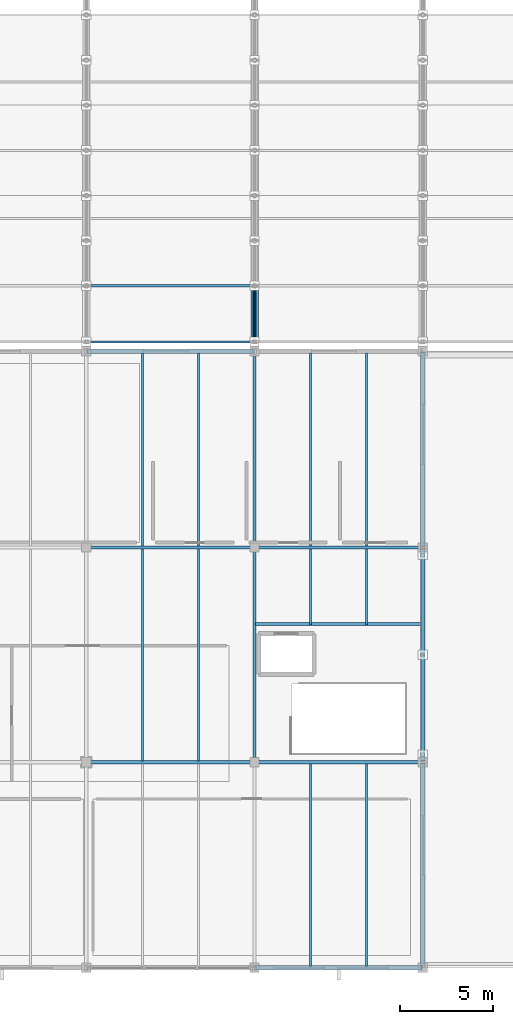
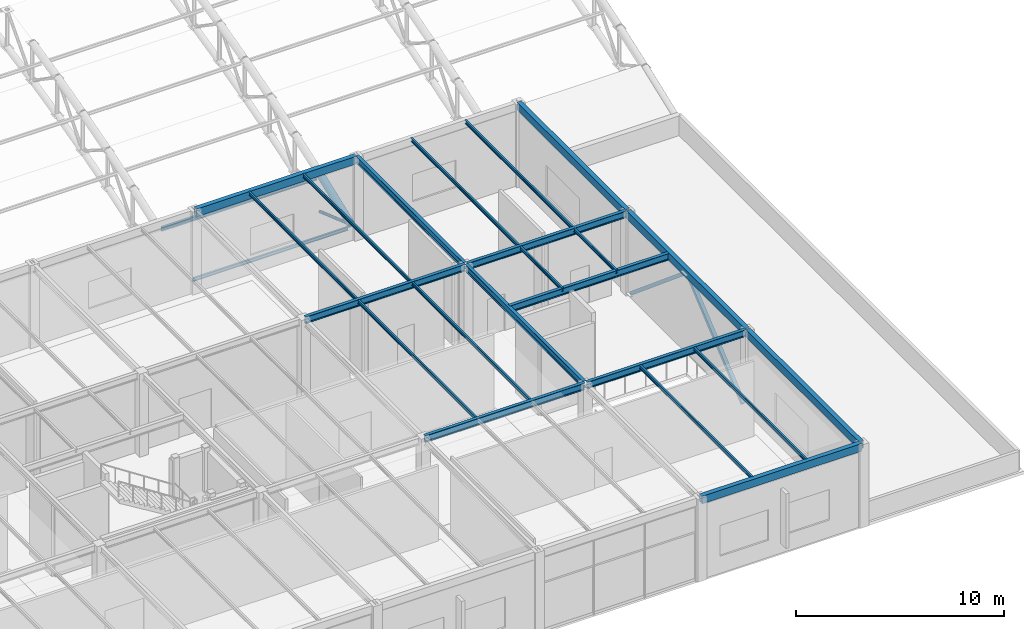
# One storey, part 74 of 195: 22 beams, 6 members.
"""IFC4 building model written with IfcOpenShell, lengths in metres."""

from ifc_helpers import new_model, si_unit, direction, frame, origin, origin_2d, place, context, subcontext, project, spatial, hollow_rectangle, hollow_circle, i_section, extrude, material, material_profile, profile_set, type_object, element, save


model = new_model("IFC4")

# Units and contexts
model_context = context("Model", 3, precision=1e-05, world=origin(), true_north=direction((0.0, 1.0)))
body_context = subcontext(model_context, "Body", "Model", "MODEL_VIEW")
ifc_project = project(units=[si_unit("LENGTHUNIT", "METRE"), si_unit("AREAUNIT", "SQUARE_METRE"), si_unit("VOLUMEUNIT", "CUBIC_METRE"), si_unit("PLANEANGLEUNIT", "RADIAN"), si_unit("MASSUNIT", "GRAM", prefix="KILO")], contexts=[model_context])

# Site, building, storey
site_placement = place(None, origin())
site = spatial("IfcSite", under=ifc_project, at=site_placement, CompositionType="ELEMENT")
building_placement = place(site_placement, origin())
building = spatial("IfcBuilding", under=site, at=building_placement, Name="Marlcrest Central Station", CompositionType="ELEMENT")
storey_placement = place(building_placement, frame((0.0, 0.0, 9.800048828125)))
storey = spatial("IfcBuildingStorey", under=building, at=storey_placement, Name="L02", CompositionType="ELEMENT", Elevation=9.800048828125)

# Members
ifc_material = material(Name="Steel S355", Category="steel")
ifc_material_profile_1 = material_profile(ifc_material, hollow_circle(Radius=0.203125, WallThickness=0.02001953125, at=origin_2d()), Name="CHS 406.4x20")
ifc_profile_set_1 = profile_set([ifc_material_profile_1], Name="Steel S355")
member_type_1 = type_object("IfcMemberType", Name="AC-01", PredefinedType="CHORD", material=ifc_profile_set_1)
member_1_placement = place(storey_placement, frame((198.0, 33.5, 0.44580078125), z_axis=(0.0, 0.933324071143, 0.359035065453), x_axis=(-1.0, 0.0, 0.0)))
element("IfcMember", 1, at=member_1_placement, inside=storey, type_object=member_type_1, Name="mem-AC-01-L02-01786", PredefinedType="CHORD", context=body_context, shape_type="SweptSolid", body=[
    extrude(hollow_circle(Radius=0.203125, WallThickness=0.02001953125, at=origin_2d()), origin(), (0.0, 0.0, 1.0), 3.21435546875),
])
ifc_material_profile_2 = material_profile(ifc_material, hollow_circle(Radius=0.084228515625, WallThickness=0.010009765625, at=origin_2d()), Name="CHS 168.3x10")
ifc_profile_set_2 = profile_set([ifc_material_profile_2], Name="Steel S355")
member_type_2 = type_object("IfcMemberType", Name="AD-01", PredefinedType="BRACE", material=ifc_profile_set_2)
member_2_placement = place(storey_placement, frame((198.0, 36.5, -0.60009765625), z_axis=(0.0, -0.944260188635, 0.329200085296), x_axis=(1.0, 0.0, 0.0)))
element("IfcMember", 2, at=member_2_placement, inside=storey, type_object=member_type_2, Name="mem-AD-01-L02-01787", PredefinedType="BRACE", context=body_context, shape_type="SweptSolid", body=[
    extrude(hollow_circle(Radius=0.084228515625, WallThickness=0.010009765625, at=origin_2d()), origin(), (0.0, 0.0, 1.0), 3.177001953125),
])
ifc_material_profile_3 = material_profile(ifc_material, hollow_rectangle(XDim=0.199951171875, YDim=0.199951171875, WallThickness=0.010009765625, at=origin_2d()), Name="SHS 200x200x10")
ifc_profile_set_3 = profile_set([ifc_material_profile_3], Name="Steel S355")
member_type_3 = type_object("IfcMemberType", Name="BF-01", PredefinedType="BRACE", material=ifc_profile_set_3)
for number, where, z_axis, x_axis, name in (
    (3, (207.0, 11.39990234375, 0.199951171875), (0.0, 0.767405461335, 0.641162115158), (-1.0, 0.0, 0.0), "mem-BF-01-L02-00017"),
    (4, (207.0, 22.10009765625, 0.199951171875), (0.0, -0.767405461335, 0.641162115158), (1.0, 0.0, 0.0), "mem-BF-01-L02-00018"),
):
    element("IfcMember", number, at=place(storey_placement, frame(where, z_axis=z_axis, x_axis=x_axis)), inside=storey, type_object=member_type_3, Name=name, PredefinedType="BRACE", context=body_context, shape_type="SweptSolid", body=[
        extrude(hollow_rectangle(XDim=0.199951171875, YDim=0.199951171875, WallThickness=0.010009765625, at=origin_2d()), origin(), (0.0, 0.0, 1.0), 6.9716796875),
    ])

# Beams
ifc_material_profile_4 = material_profile(ifc_material, i_section(OverallWidth=0.179931640625, OverallDepth=0.39990234375, WebThickness=0.008544921875, FlangeThickness=0.013427734375, FilletRadius=0.02099609375, at=origin_2d()), Name="IPE 400")
ifc_profile_set_4 = profile_set([ifc_material_profile_4], Name="Steel S355")
beam_type_1 = type_object("IfcBeamType", Name="BM-03", PredefinedType="BEAM", material=ifc_profile_set_4)
for number, where, z_axis, x_axis, name in (
    (5, (189.06005859375, 11.0, 4.669921875), (1.0, 0.0, 0.0), (0.0, 1.0, 0.0), "bm-BM-03-L02-00965"),
    (6, (198.06005859375, 11.0, 4.669921875), (1.0, 0.0, 0.0), (0.0, 1.0, 0.0), "bm-BM-03-L02-00966"),
    (7, (189.06005859375, 22.5, 4.669921875), (1.0, 0.0, 0.0), (0.0, 1.0, 0.0), "bm-BM-03-L02-00971"),
    (8, (198.06005859375, 22.5, 4.669921875), (1.0, 0.0, 0.0), (0.0, 1.0, 0.0), "bm-BM-03-L02-00972"),
):
    element("IfcBeam", number, at=place(storey_placement, frame(where, z_axis=z_axis, x_axis=x_axis)), inside=storey, type_object=beam_type_1, Name=name, PredefinedType="BEAM", context=body_context, shape_type="SweptSolid", body=[
        extrude(i_section(OverallWidth=0.179931640625, OverallDepth=0.39990234375, WebThickness=0.008544921875, FlangeThickness=0.013427734375, FilletRadius=0.02099609375, at=origin_2d()), origin(), (0.0, 0.0, 1.0), 8.8798828125),
    ])
beam_1_placement = place(storey_placement, frame((198.0, 11.06005859375, 4.669921875), z_axis=(0.0, 1.0, 0.0), x_axis=(-1.0, 0.0, 0.0)))
element("IfcBeam", 9, at=beam_1_placement, inside=storey, type_object=beam_type_1, Name="bm-BM-03-L02-00995", PredefinedType="BEAM", context=body_context, shape_type="SweptSolid", body=[
    extrude(i_section(OverallWidth=0.179931640625, OverallDepth=0.39990234375, WebThickness=0.008544921875, FlangeThickness=0.013427734375, FilletRadius=0.02099609375, at=origin_2d()), origin(), (0.0, 0.0, 1.0), 11.3798828125),
])
beam_2_placement = place(storey_placement, frame((198.0, 22.56005859375, 4.669921875), z_axis=(0.0, 1.0, 0.0), x_axis=(-1.0, 0.0, 0.0)))
element("IfcBeam", 10, at=beam_2_placement, inside=storey, type_object=beam_type_1, Name="bm-BM-03-L02-00996", PredefinedType="BEAM", context=body_context, shape_type="SweptSolid", body=[
    extrude(i_section(OverallWidth=0.179931640625, OverallDepth=0.39990234375, WebThickness=0.008544921875, FlangeThickness=0.013427734375, FilletRadius=0.02099609375, at=origin_2d()), origin(), (0.0, 0.0, 1.0), 10.3798828125),
])
beam_3_placement = place(storey_placement, frame((198.0400390625, 18.39990234375, 4.669921875), z_axis=(1.0, 0.0, 0.0), x_axis=(0.0, 1.0, 0.0)))
element("IfcBeam", 11, at=beam_3_placement, inside=storey, type_object=beam_type_1, Name="bm-BM-03-L02-01037", PredefinedType="BEAM", context=body_context, shape_type="SweptSolid", body=[
    extrude(i_section(OverallWidth=0.179931640625, OverallDepth=0.39990234375, WebThickness=0.008544921875, FlangeThickness=0.013427734375, FilletRadius=0.02099609375, at=origin_2d()), origin(), (0.0, 0.0, 1.0), 8.919921875),
])
ifc_material_profile_5 = material_profile(ifc_material, i_section(OverallWidth=0.10009765625, OverallDepth=0.199951171875, WebThickness=0.005615234375, FlangeThickness=0.008544921875, FilletRadius=0.011962890625, at=origin_2d()), Name="IPE 200")
ifc_profile_set_5 = profile_set([ifc_material_profile_5], Name="Steel S355")
beam_type_2 = type_object("IfcBeamType", Name="JS-01", PredefinedType="JOIST", material=ifc_profile_set_5)
beam_4_placement = place(storey_placement, frame((192.0, 11.0830078125, 4.77001953125), z_axis=(0.0, 1.0, 0.0), x_axis=(-1.0, 0.0, 0.0)))
element("IfcBeam", 12, at=beam_4_placement, inside=storey, type_object=beam_type_2, Name="bm-JS-01-L02-01025", PredefinedType="JOIST", context=body_context, shape_type="SweptSolid", body=[
    extrude(i_section(OverallWidth=0.10009765625, OverallDepth=0.199951171875, WebThickness=0.005615234375, FlangeThickness=0.008544921875, FilletRadius=0.011962890625, at=origin_2d()), origin(), (0.0, 0.0, 1.0), 11.333984375),
])
beam_5_placement = place(storey_placement, frame((192.0, 22.5830078125, 4.77001953125), z_axis=(0.0, 1.0, 0.0), x_axis=(-1.0, 0.0, 0.0)))
element("IfcBeam", 13, at=beam_5_placement, inside=storey, type_object=beam_type_2, Name="bm-JS-01-L02-01026", PredefinedType="JOIST", context=body_context, shape_type="SweptSolid", body=[
    extrude(i_section(OverallWidth=0.10009765625, OverallDepth=0.199951171875, WebThickness=0.005615234375, FlangeThickness=0.008544921875, FilletRadius=0.011962890625, at=origin_2d()), origin(), (0.0, 0.0, 1.0), 10.333984375),
])
beam_6_placement = place(storey_placement, frame((195.0, 11.0830078125, 4.77001953125), z_axis=(0.0, 1.0, 0.0), x_axis=(-1.0, 0.0, 0.0)))
element("IfcBeam", 14, at=beam_6_placement, inside=storey, type_object=beam_type_2, Name="bm-JS-01-L02-01028", PredefinedType="JOIST", context=body_context, shape_type="SweptSolid", body=[
    extrude(i_section(OverallWidth=0.10009765625, OverallDepth=0.199951171875, WebThickness=0.005615234375, FlangeThickness=0.008544921875, FilletRadius=0.011962890625, at=origin_2d()), origin(), (0.0, 0.0, 1.0), 11.333984375),
])
beam_7_placement = place(storey_placement, frame((195.0, 22.5830078125, 4.77001953125), z_axis=(0.0, 1.0, 0.0), x_axis=(-1.0, 0.0, 0.0)))
element("IfcBeam", 15, at=beam_7_placement, inside=storey, type_object=beam_type_2, Name="bm-JS-01-L02-01029", PredefinedType="JOIST", context=body_context, shape_type="SweptSolid", body=[
    extrude(i_section(OverallWidth=0.10009765625, OverallDepth=0.199951171875, WebThickness=0.005615234375, FlangeThickness=0.008544921875, FilletRadius=0.011962890625, at=origin_2d()), origin(), (0.0, 0.0, 1.0), 10.333984375),
])
beam_8_placement = place(storey_placement, frame((201.0, 0.0830078125, 4.77001953125), z_axis=(0.0, 1.0, 0.0), x_axis=(-1.0, 0.0, 0.0)))
element("IfcBeam", 16, at=beam_8_placement, inside=storey, type_object=beam_type_2, Name="bm-JS-01-L02-01030", PredefinedType="JOIST", context=body_context, shape_type="SweptSolid", body=[
    extrude(i_section(OverallWidth=0.10009765625, OverallDepth=0.199951171875, WebThickness=0.005615234375, FlangeThickness=0.008544921875, FilletRadius=0.011962890625, at=origin_2d()), origin(), (0.0, 0.0, 1.0), 10.833984375),
])
beam_9_placement = place(storey_placement, frame((201.0, 18.360107421875, 4.77001953125), z_axis=(0.0, 1.0, 0.0), x_axis=(-1.0, 0.0, 0.0)))
element("IfcBeam", 17, at=beam_9_placement, inside=storey, type_object=beam_type_2, Name="bm-JS-01-L02-01031", PredefinedType="JOIST", context=body_context, shape_type="SweptSolid", body=[
    extrude(i_section(OverallWidth=0.10009765625, OverallDepth=0.199951171875, WebThickness=0.005615234375, FlangeThickness=0.008544921875, FilletRadius=0.011962890625, at=origin_2d()), origin(), (0.0, 0.0, 1.0), 4.056884765625),
])
beam_10_placement = place(storey_placement, frame((201.0, 22.5830078125, 4.77001953125), z_axis=(0.0, 1.0, 0.0), x_axis=(-1.0, 0.0, 0.0)))
element("IfcBeam", 18, at=beam_10_placement, inside=storey, type_object=beam_type_2, Name="bm-JS-01-L02-01032", PredefinedType="JOIST", context=body_context, shape_type="SweptSolid", body=[
    extrude(i_section(OverallWidth=0.10009765625, OverallDepth=0.199951171875, WebThickness=0.005615234375, FlangeThickness=0.008544921875, FilletRadius=0.011962890625, at=origin_2d()), origin(), (0.0, 0.0, 1.0), 10.333984375),
])
beam_11_placement = place(storey_placement, frame((204.0, 0.0830078125, 4.77001953125), z_axis=(0.0, 1.0, 0.0), x_axis=(-1.0, 0.0, 0.0)))
element("IfcBeam", 19, at=beam_11_placement, inside=storey, type_object=beam_type_2, Name="bm-JS-01-L02-01033", PredefinedType="JOIST", context=body_context, shape_type="SweptSolid", body=[
    extrude(i_section(OverallWidth=0.10009765625, OverallDepth=0.199951171875, WebThickness=0.005615234375, FlangeThickness=0.008544921875, FilletRadius=0.011962890625, at=origin_2d()), origin(), (0.0, 0.0, 1.0), 10.833984375),
])
beam_12_placement = place(storey_placement, frame((204.0, 18.360107421875, 4.77001953125), z_axis=(0.0, 1.0, 0.0), x_axis=(-1.0, 0.0, 0.0)))
element("IfcBeam", 20, at=beam_12_placement, inside=storey, type_object=beam_type_2, Name="bm-JS-01-L02-01034", PredefinedType="JOIST", context=body_context, shape_type="SweptSolid", body=[
    extrude(i_section(OverallWidth=0.10009765625, OverallDepth=0.199951171875, WebThickness=0.005615234375, FlangeThickness=0.008544921875, FilletRadius=0.011962890625, at=origin_2d()), origin(), (0.0, 0.0, 1.0), 4.056884765625),
])
beam_13_placement = place(storey_placement, frame((204.0, 22.5830078125, 4.77001953125), z_axis=(0.0, 1.0, 0.0), x_axis=(-1.0, 0.0, 0.0)))
element("IfcBeam", 21, at=beam_13_placement, inside=storey, type_object=beam_type_2, Name="bm-JS-01-L02-01035", PredefinedType="JOIST", context=body_context, shape_type="SweptSolid", body=[
    extrude(i_section(OverallWidth=0.10009765625, OverallDepth=0.199951171875, WebThickness=0.005615234375, FlangeThickness=0.008544921875, FilletRadius=0.011962890625, at=origin_2d()), origin(), (0.0, 0.0, 1.0), 10.333984375),
])

# Members
ifc_material_profile_6 = material_profile(ifc_material, i_section(OverallWidth=0.10009765625, OverallDepth=0.199951171875, WebThickness=0.005615234375, FlangeThickness=0.008544921875, FilletRadius=0.011962890625, at=origin_2d()), Name="IPE 200")
ifc_profile_set_6 = profile_set([ifc_material_profile_6], Name="Steel S355")
member_type_4 = type_object("IfcMemberType", Name="PR-01", PredefinedType="PURLIN", material=ifc_profile_set_6)
member_3_placement = place(storey_placement, frame((189.179931640625, 33.5, 0.3056640625), z_axis=(1.0, 0.0, 0.0), x_axis=(0.0, 1.0, 0.0)))
element("IfcMember", 22, at=member_3_placement, inside=storey, type_object=member_type_4, Name="mem-PR-01-L02-01771", PredefinedType="PURLIN", context=body_context, shape_type="SweptSolid", body=[
    extrude(i_section(OverallWidth=0.10009765625, OverallDepth=0.199951171875, WebThickness=0.005615234375, FlangeThickness=0.008544921875, FilletRadius=0.011962890625, at=origin_2d()), origin(), (0.0, 0.0, 1.0), 8.64013671875),
])
ifc_material_profile_7 = material_profile(ifc_material, i_section(OverallWidth=0.1201171875, OverallDepth=0.239990234375, WebThickness=0.006103515625, FlangeThickness=0.009765625, FilletRadius=0.014892578125, at=origin_2d()), Name="IPE 240")
ifc_profile_set_7 = profile_set([ifc_material_profile_7], Name="Steel S355")
member_type_5 = type_object("IfcMemberType", Name="PR-02", PredefinedType="PURLIN", material=ifc_profile_set_7)
member_4_placement = place(storey_placement, frame((189.179931640625, 36.5, 1.4599609375), z_axis=(1.0, 0.0, 0.0), x_axis=(0.0, 1.0, 0.0)))
element("IfcMember", 23, at=member_4_placement, inside=storey, type_object=member_type_5, Name="mem-PR-02-L02-01772", PredefinedType="PURLIN", context=body_context, shape_type="SweptSolid", body=[
    extrude(i_section(OverallWidth=0.1201171875, OverallDepth=0.239990234375, WebThickness=0.006103515625, FlangeThickness=0.009765625, FilletRadius=0.014892578125, at=origin_2d()), origin(), (0.0, 0.0, 1.0), 8.64013671875),
])

# Beams
ifc_material_profile_8 = material_profile(ifc_material, hollow_rectangle(XDim=0.25, YDim=0.449951171875, WallThickness=0.01611328125, at=origin_2d()), Name="RHS 450x250x16")
ifc_profile_set_8 = profile_set([ifc_material_profile_8], Name="Steel S355")
beam_type_3 = type_object("IfcBeamType", Name="SP-02", PredefinedType="SPANDREL", material=ifc_profile_set_8)
for number, where, z_axis, x_axis, name in (
    (24, (198.06005859375, 0.0, 4.64501953125), (1.0, 0.0, 0.0), (0.0, 1.0, 0.0), "bm-SP-02-L02-00960"),
    (25, (189.06005859375, 33.0, 4.64501953125), (1.0, 0.0, 0.0), (0.0, 1.0, 0.0), "bm-SP-02-L02-00977"),
):
    element("IfcBeam", number, at=place(storey_placement, frame(where, z_axis=z_axis, x_axis=x_axis)), inside=storey, type_object=beam_type_3, Name=name, PredefinedType="SPANDREL", context=body_context, shape_type="SweptSolid", body=[
        extrude(hollow_rectangle(XDim=0.25, YDim=0.449951171875, WallThickness=0.01611328125, at=origin_2d()), origin(), (0.0, 0.0, 1.0), 8.8798828125),
    ])
beam_14_placement = place(storey_placement, frame((207.0, 0.06005859375, 4.64501953125), z_axis=(0.0, 1.0, 0.0), x_axis=(-1.0, 0.0, 0.0)))
element("IfcBeam", 26, at=beam_14_placement, inside=storey, type_object=beam_type_3, Name="bm-SP-02-L02-00997", PredefinedType="SPANDREL", context=body_context, shape_type="SweptSolid", body=[
    extrude(hollow_rectangle(XDim=0.25, YDim=0.449951171875, WallThickness=0.01611328125, at=origin_2d()), origin(), (0.0, 0.0, 1.0), 10.8798828125),
])
beam_15_placement = place(storey_placement, frame((207.0, 11.06005859375, 4.64501953125), z_axis=(0.0, 1.0, 0.0), x_axis=(-1.0, 0.0, 0.0)))
element("IfcBeam", 27, at=beam_15_placement, inside=storey, type_object=beam_type_3, Name="bm-SP-02-L02-00998", PredefinedType="SPANDREL", context=body_context, shape_type="SweptSolid", body=[
    extrude(hollow_rectangle(XDim=0.25, YDim=0.449951171875, WallThickness=0.01611328125, at=origin_2d()), origin(), (0.0, 0.0, 1.0), 11.3798828125),
])
beam_16_placement = place(storey_placement, frame((207.0, 22.56005859375, 4.64501953125), z_axis=(0.0, 1.0, 0.0), x_axis=(-1.0, 0.0, 0.0)))
element("IfcBeam", 28, at=beam_16_placement, inside=storey, type_object=beam_type_3, Name="bm-SP-02-L02-00999", PredefinedType="SPANDREL", context=body_context, shape_type="SweptSolid", body=[
    extrude(hollow_rectangle(XDim=0.25, YDim=0.449951171875, WallThickness=0.01611328125, at=origin_2d()), origin(), (0.0, 0.0, 1.0), 10.3798828125),
])

save(model, "model.ifc")
